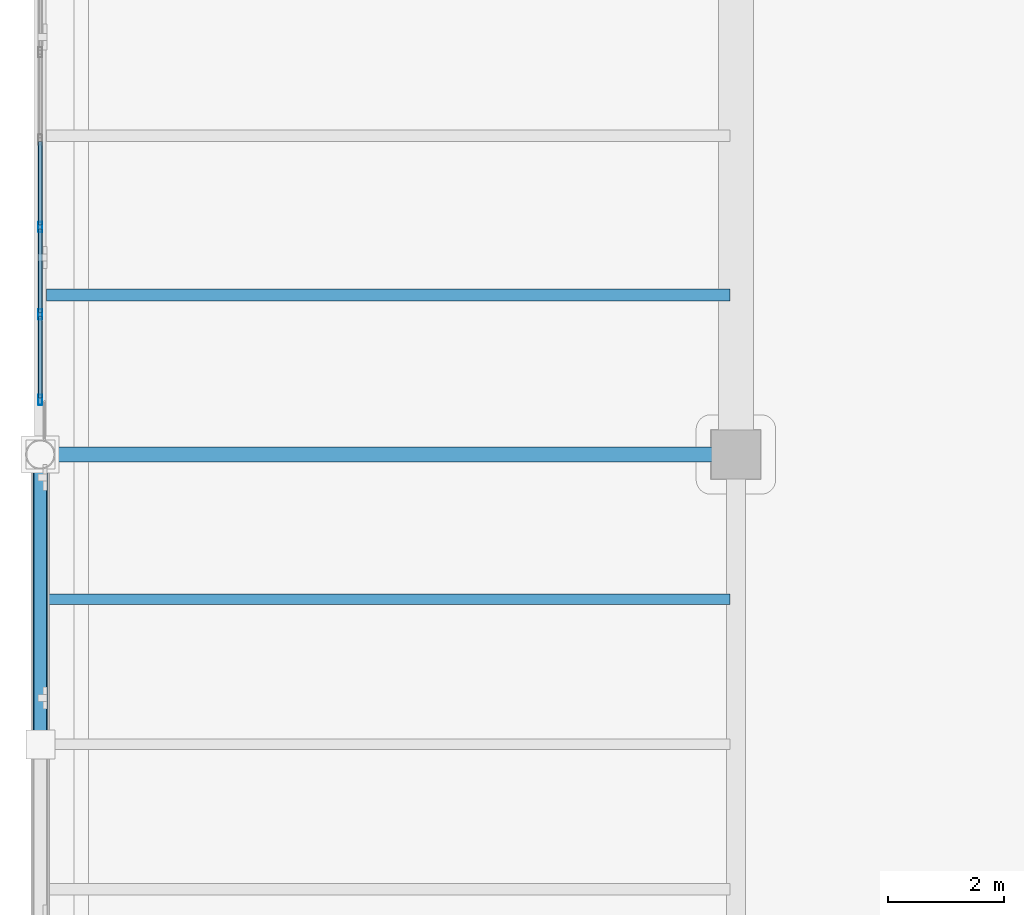
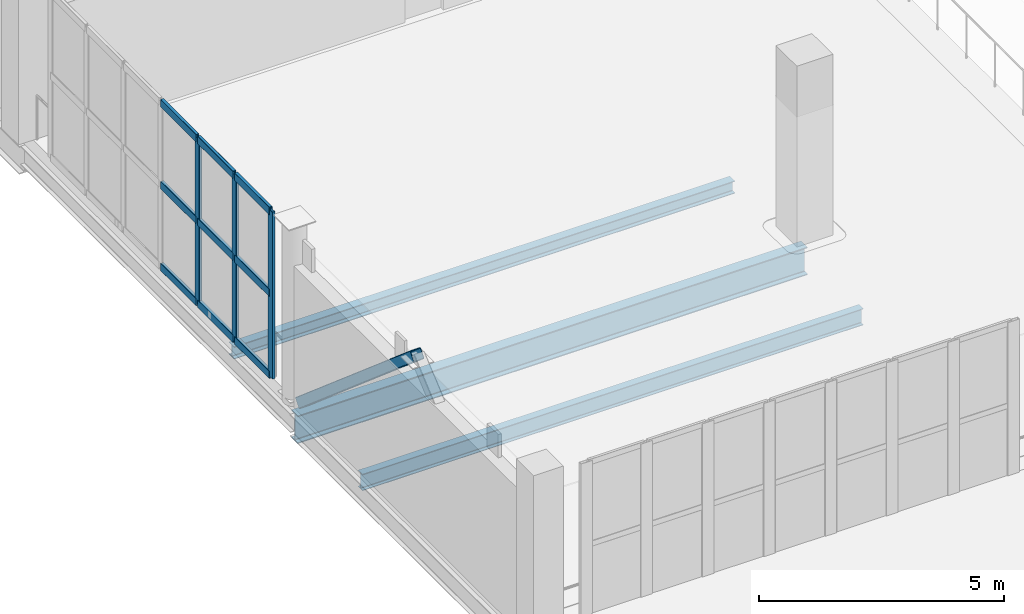
# One storey, part 11 of 108: 13 members, 3 beams, 1 element without a shape of its own.
"""IFC4 building model written with IfcOpenShell, lengths in metres."""

from ifc_helpers import new_model, si_unit, direction, frame, origin, origin_2d, place, context, subcontext, project, spatial, hollow_rectangle, i_section, extrude, material, layer, layer_set, material_profile, profile_set, type_object, element, aggregate, save


model = new_model("IFC4")

# Units and contexts
model_context = context("Model", 3, precision=1e-05, world=origin(), true_north=direction((0.0, 1.0)))
body_context = subcontext(model_context, "Body", "Model", "MODEL_VIEW")
ifc_project = project(units=[si_unit("LENGTHUNIT", "METRE"), si_unit("AREAUNIT", "SQUARE_METRE"), si_unit("VOLUMEUNIT", "CUBIC_METRE"), si_unit("PLANEANGLEUNIT", "RADIAN"), si_unit("MASSUNIT", "GRAM", prefix="KILO")], contexts=[model_context])

# Site, building, storey
site_placement = place(None, origin())
site = spatial("IfcSite", under=ifc_project, at=site_placement, CompositionType="ELEMENT")
building_placement = place(site_placement, origin())
building = spatial("IfcBuilding", under=site, at=building_placement, Name="Brinegate Civic Arena", CompositionType="ELEMENT")
storey_placement = place(building_placement, frame((0.0, 0.0, 10.199951171875)))
storey = spatial("IfcBuildingStorey", under=building, at=storey_placement, Name="L02", CompositionType="ELEMENT", Elevation=10.199951171875)

# Curtain wall, members
ifc_material_1 = material(Name="Marine grade aluminium", Category="aluminium")
ifc_layer = layer(ifc_material_1, 0.18505859375, Name="Marine grade aluminium")
ifc_layer_set = layer_set([ifc_layer], Name="Marine grade aluminium")
curtain_wall_type = type_object("IfcCurtainWallType", Name="CW-WING-GLAZED-03", PredefinedType="USERDEFINED", material=ifc_layer_set)
curtain_wall_placement = place(storey_placement, origin())
curtain_wall = element("IfcCurtainWall", 1, at=curtain_wall_placement, inside=storey, type_object=curtain_wall_type, Name="Curtain Wall CWA-019", ObjectType="GLAZED CURTAIN WALL", PredefinedType="USERDEFINED")
ifc_material_profile_1 = material_profile(ifc_material_1, hollow_rectangle(XDim=0.06494140625, YDim=0.179931640625, WallThickness=0.0048828125, InnerFilletRadius=0.00390625, OuterFilletRadius=0.008056640625, at=origin_2d()), Name="MUL65X180")
ifc_profile_set_1 = profile_set([ifc_material_profile_1], Name="Marine grade aluminium")
member_type_1 = type_object("IfcMemberType", Name="CW-MULLION-65X180", PredefinedType="MULLION", material=ifc_profile_set_1)
member_1_placement = place(storey_placement, frame((0.0, 20.94140625, 0.0), z_axis=(0.0, 0.0, 1.0), x_axis=(-1.0, 0.0, 0.0)))
member_1 = element("IfcMember", 2, at=member_1_placement, type_object=member_type_1, Name="CWA-019 mullion 1", PredefinedType="MULLION", context=body_context, shape_type="SweptSolid", body=[
    extrude(hollow_rectangle(XDim=0.06494140625, YDim=0.179931640625, WallThickness=0.0048828125, InnerFilletRadius=0.00390625, OuterFilletRadius=0.008056640625, at=origin_2d()), origin(), (0.0, 0.0, 1.0), 4.150146484375),
])
member_2_placement = place(storey_placement, frame((0.0, 22.416748046875, 0.0), z_axis=(0.0, 0.0, 1.0), x_axis=(-1.0, 0.0, 0.0)))
member_2 = element("IfcMember", 3, at=member_2_placement, type_object=member_type_1, Name="CWA-019 mullion 2", PredefinedType="MULLION", context=body_context, shape_type="SweptSolid", body=[
    extrude(hollow_rectangle(XDim=0.06494140625, YDim=0.179931640625, WallThickness=0.0048828125, InnerFilletRadius=0.00390625, OuterFilletRadius=0.008056640625, at=origin_2d()), origin(), (0.0, 0.0, 1.0), 4.150146484375),
])
member_3_placement = place(storey_placement, frame((0.0, 23.92431640625, 0.0), z_axis=(0.0, 0.0, 1.0), x_axis=(-1.0, 0.0, 0.0)))
member_3 = element("IfcMember", 4, at=member_3_placement, type_object=member_type_1, Name="CWA-019 mullion 3", PredefinedType="MULLION", context=body_context, shape_type="SweptSolid", body=[
    extrude(hollow_rectangle(XDim=0.06494140625, YDim=0.179931640625, WallThickness=0.0048828125, InnerFilletRadius=0.00390625, OuterFilletRadius=0.008056640625, at=origin_2d()), origin(), (0.0, 0.0, 1.0), 4.150146484375),
])
ifc_material_profile_2 = material_profile(ifc_material_1, hollow_rectangle(XDim=0.074951171875, YDim=0.18994140625, WallThickness=0.006103515625, InnerFilletRadius=0.00390625, OuterFilletRadius=0.008056640625, at=origin_2d()), Name="TRN75X190")
ifc_profile_set_2 = profile_set([ifc_material_profile_2], Name="Marine grade aluminium")
member_type_2 = type_object("IfcMemberType", Name="CW-TRANSOM-75X190", PredefinedType="USERDEFINED", material=ifc_profile_set_2)
member_4_placement = place(storey_placement, frame((0.0, 20.97412109375, 0.03759765625), z_axis=(0.0, 1.0, 0.0), x_axis=(-1.0, 0.0, 0.0)))
member_4 = element("IfcMember", 5, at=member_4_placement, type_object=member_type_2, Name="CWA-019 transom 1.1", ObjectType="TRANSOM", PredefinedType="USERDEFINED", context=body_context, shape_type="SweptSolid", body=[
    extrude(hollow_rectangle(XDim=0.074951171875, YDim=0.18994140625, WallThickness=0.006103515625, InnerFilletRadius=0.00390625, OuterFilletRadius=0.008056640625, at=origin_2d()), origin(), (0.0, 0.0, 1.0), 1.41015625),
])
member_5_placement = place(storey_placement, frame((0.0, 20.97412109375, 2.074951171875), z_axis=(0.0, 1.0, 0.0), x_axis=(-1.0, 0.0, 0.0)))
member_5 = element("IfcMember", 6, at=member_5_placement, type_object=member_type_2, Name="CWA-019 transom 1.2", ObjectType="TRANSOM", PredefinedType="USERDEFINED", context=body_context, shape_type="SweptSolid", body=[
    extrude(hollow_rectangle(XDim=0.074951171875, YDim=0.18994140625, WallThickness=0.006103515625, InnerFilletRadius=0.00390625, OuterFilletRadius=0.008056640625, at=origin_2d()), origin(), (0.0, 0.0, 1.0), 1.41015625),
])
member_6_placement = place(storey_placement, frame((0.0, 20.97412109375, 4.112548828125), z_axis=(0.0, 1.0, 0.0), x_axis=(-1.0, 0.0, 0.0)))
member_6 = element("IfcMember", 7, at=member_6_placement, type_object=member_type_2, Name="CWA-019 transom 1.3", ObjectType="TRANSOM", PredefinedType="USERDEFINED", context=body_context, shape_type="SweptSolid", body=[
    extrude(hollow_rectangle(XDim=0.074951171875, YDim=0.18994140625, WallThickness=0.006103515625, InnerFilletRadius=0.00390625, OuterFilletRadius=0.008056640625, at=origin_2d()), origin(), (0.0, 0.0, 1.0), 1.41015625),
])
member_7_placement = place(storey_placement, frame((0.0, 22.44921875, 0.03759765625), z_axis=(0.0, 1.0, 0.0), x_axis=(-1.0, 0.0, 0.0)))
member_7 = element("IfcMember", 8, at=member_7_placement, type_object=member_type_2, Name="CWA-019 transom 2.1", ObjectType="TRANSOM", PredefinedType="USERDEFINED", context=body_context, shape_type="SweptSolid", body=[
    extrude(hollow_rectangle(XDim=0.074951171875, YDim=0.18994140625, WallThickness=0.006103515625, InnerFilletRadius=0.00390625, OuterFilletRadius=0.008056640625, at=origin_2d()), origin(), (0.0, 0.0, 1.0), 1.442626953125),
])
member_8_placement = place(storey_placement, frame((0.0, 22.44921875, 2.074951171875), z_axis=(0.0, 1.0, 0.0), x_axis=(-1.0, 0.0, 0.0)))
member_8 = element("IfcMember", 9, at=member_8_placement, type_object=member_type_2, Name="CWA-019 transom 2.2", ObjectType="TRANSOM", PredefinedType="USERDEFINED", context=body_context, shape_type="SweptSolid", body=[
    extrude(hollow_rectangle(XDim=0.074951171875, YDim=0.18994140625, WallThickness=0.006103515625, InnerFilletRadius=0.00390625, OuterFilletRadius=0.008056640625, at=origin_2d()), origin(), (0.0, 0.0, 1.0), 1.442626953125),
])
member_9_placement = place(storey_placement, frame((0.0, 22.44921875, 4.112548828125), z_axis=(0.0, 1.0, 0.0), x_axis=(-1.0, 0.0, 0.0)))
member_9 = element("IfcMember", 10, at=member_9_placement, type_object=member_type_2, Name="CWA-019 transom 2.3", ObjectType="TRANSOM", PredefinedType="USERDEFINED", context=body_context, shape_type="SweptSolid", body=[
    extrude(hollow_rectangle(XDim=0.074951171875, YDim=0.18994140625, WallThickness=0.006103515625, InnerFilletRadius=0.00390625, OuterFilletRadius=0.008056640625, at=origin_2d()), origin(), (0.0, 0.0, 1.0), 1.442626953125),
])
member_10_placement = place(storey_placement, frame((0.0, 23.956787109375, 0.03759765625), z_axis=(0.0, 1.0, 0.0), x_axis=(-1.0, 0.0, 0.0)))
member_10 = element("IfcMember", 11, at=member_10_placement, type_object=member_type_2, Name="CWA-019 transom 3.1", ObjectType="TRANSOM", PredefinedType="USERDEFINED", context=body_context, shape_type="SweptSolid", body=[
    extrude(hollow_rectangle(XDim=0.074951171875, YDim=0.18994140625, WallThickness=0.006103515625, InnerFilletRadius=0.00390625, OuterFilletRadius=0.008056640625, at=origin_2d()), origin(), (0.0, 0.0, 1.0), 1.442626953125),
])
member_11_placement = place(storey_placement, frame((0.0, 23.956787109375, 2.074951171875), z_axis=(0.0, 1.0, 0.0), x_axis=(-1.0, 0.0, 0.0)))
member_11 = element("IfcMember", 12, at=member_11_placement, type_object=member_type_2, Name="CWA-019 transom 3.2", ObjectType="TRANSOM", PredefinedType="USERDEFINED", context=body_context, shape_type="SweptSolid", body=[
    extrude(hollow_rectangle(XDim=0.074951171875, YDim=0.18994140625, WallThickness=0.006103515625, InnerFilletRadius=0.00390625, OuterFilletRadius=0.008056640625, at=origin_2d()), origin(), (0.0, 0.0, 1.0), 1.442626953125),
])
member_12_placement = place(storey_placement, frame((0.0, 23.956787109375, 4.112548828125), z_axis=(0.0, 1.0, 0.0), x_axis=(-1.0, 0.0, 0.0)))
member_12 = element("IfcMember", 13, at=member_12_placement, type_object=member_type_2, Name="CWA-019 transom 3.3", ObjectType="TRANSOM", PredefinedType="USERDEFINED", context=body_context, shape_type="SweptSolid", body=[
    extrude(hollow_rectangle(XDim=0.074951171875, YDim=0.18994140625, WallThickness=0.006103515625, InnerFilletRadius=0.00390625, OuterFilletRadius=0.008056640625, at=origin_2d()), origin(), (0.0, 0.0, 1.0), 1.442626953125),
])
aggregate(curtain_wall, [member_1, member_2, member_3, member_4, member_5, member_6, member_7, member_8, member_9, member_10, member_11, member_12])

# Beams
ifc_material_2 = material(Name="Steel S355", Category="steel")
ifc_material_profile_3 = material_profile(ifc_material_2, i_section(OverallWidth=0.256103515625, OverallDepth=0.693115234375, WebThickness=0.014892578125, FlangeThickness=0.02392578125, FilletRadius=0.01806640625, at=origin_2d()), Name="W690X170")
ifc_profile_set_3 = profile_set([ifc_material_profile_3], Name="Steel S355")
beam_type_1 = type_object("IfcBeamType", Name="GIRDER-W690X170", PredefinedType="BEAM", material=ifc_profile_set_3)
beam_1_placement = place(storey_placement, frame((0.0, 20.0, -0.676025390625), z_axis=(1.0, 0.0, 0.0), x_axis=(0.0, 1.0, 0.0)))
element("IfcBeam", 14, at=beam_1_placement, inside=storey, type_object=beam_type_1, Name="Floor Girder BM-L02-GX-00-02", PredefinedType="BEAM", context=body_context, shape_type="SweptSolid", body=[
    extrude(i_section(OverallWidth=0.256103515625, OverallDepth=0.693115234375, WebThickness=0.014892578125, FlangeThickness=0.02392578125, FilletRadius=0.01806640625, at=origin_2d()), origin(), (0.0, 0.0, 1.0), 12.0),
])
ifc_material_profile_4 = material_profile(ifc_material_2, i_section(OverallWidth=0.205078125, OverallDepth=0.31005859375, WebThickness=0.009033203125, FlangeThickness=0.01611328125, FilletRadius=0.012939453125, at=origin_2d()), Name="W310X74")
ifc_profile_set_4 = profile_set([ifc_material_profile_4], Name="Steel S355")
beam_type_2 = type_object("IfcBeamType", Name="JOIST-W310X74", PredefinedType="JOIST", material=ifc_profile_set_4)
beam_2_placement = place(storey_placement, frame((0.10595703125, 22.75, -0.48486328125), z_axis=(1.0, 0.0, 0.0), x_axis=(0.0, 1.0, 0.0)))
element("IfcBeam", 15, at=beam_2_placement, inside=storey, type_object=beam_type_2, Name="Secondary Joist BM-L02-JX-00-02-1", PredefinedType="JOIST", context=body_context, shape_type="SweptSolid", body=[
    extrude(i_section(OverallWidth=0.205078125, OverallDepth=0.31005859375, WebThickness=0.009033203125, FlangeThickness=0.01611328125, FilletRadius=0.012939453125, at=origin_2d()), origin(), (0.0, 0.0, 1.0), 11.7880859375),
])
ifc_material_profile_5 = material_profile(ifc_material_2, i_section(OverallWidth=0.178955078125, OverallDepth=0.409912109375, WebThickness=0.009033203125, FlangeThickness=0.013916015625, FilletRadius=0.013916015625, at=origin_2d()), Name="W410X67")
ifc_profile_set_5 = profile_set([ifc_material_profile_5], Name="Steel S355")
beam_type_3 = type_object("IfcBeamType", Name="JOIST-W410X67", PredefinedType="JOIST", material=ifc_profile_set_5)
beam_3_placement = place(storey_placement, frame((0.10595703125, 17.5, -0.534912109375), z_axis=(1.0, 0.0, 0.0), x_axis=(0.0, 1.0, 0.0)))
element("IfcBeam", 16, at=beam_3_placement, inside=storey, type_object=beam_type_3, Name="Secondary Joist BM-L02-JX-00-01-3", PredefinedType="JOIST", context=body_context, shape_type="SweptSolid", body=[
    extrude(i_section(OverallWidth=0.178955078125, OverallDepth=0.409912109375, WebThickness=0.009033203125, FlangeThickness=0.013916015625, FilletRadius=0.013916015625, at=origin_2d()), origin(), (0.0, 0.0, 1.0), 11.7880859375),
])

# Member
ifc_material_profile_6 = material_profile(ifc_material_2, hollow_rectangle(XDim=0.25, YDim=0.25, WallThickness=0.011962890625, InnerFilletRadius=0.011962890625, OuterFilletRadius=0.02392578125, at=origin_2d()), Name="SHS250X12")
ifc_profile_set_6 = profile_set([ifc_material_profile_6], Name="Steel S355")
member_type_3 = type_object("IfcMemberType", Name="SF-BRACE-SHS250", PredefinedType="BRACE", material=ifc_profile_set_6)
member_13_placement = place(storey_placement, frame((0.0, 19.679931640625, 0.150146484375), z_axis=(0.0, -0.760168413526, 0.649726083114), x_axis=(1.0, 0.0, 0.0)))
element("IfcMember", 17, at=member_13_placement, inside=storey, type_object=member_type_3, Name="Lateral Chevron Brace 05-B", PredefinedType="BRACE", context=body_context, shape_type="SweptSolid", body=[
    extrude(hollow_rectangle(XDim=0.25, YDim=0.25, WallThickness=0.011962890625, InnerFilletRadius=0.011962890625, OuterFilletRadius=0.02392578125, at=origin_2d()), origin(), (0.0, 0.0, 1.0), 6.156494140625),
])

save(model, "model.ifc")
